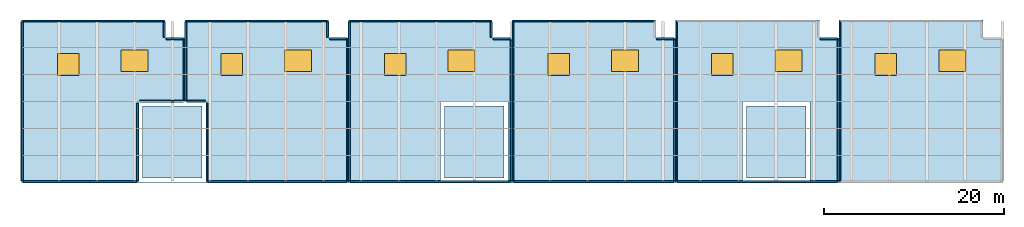
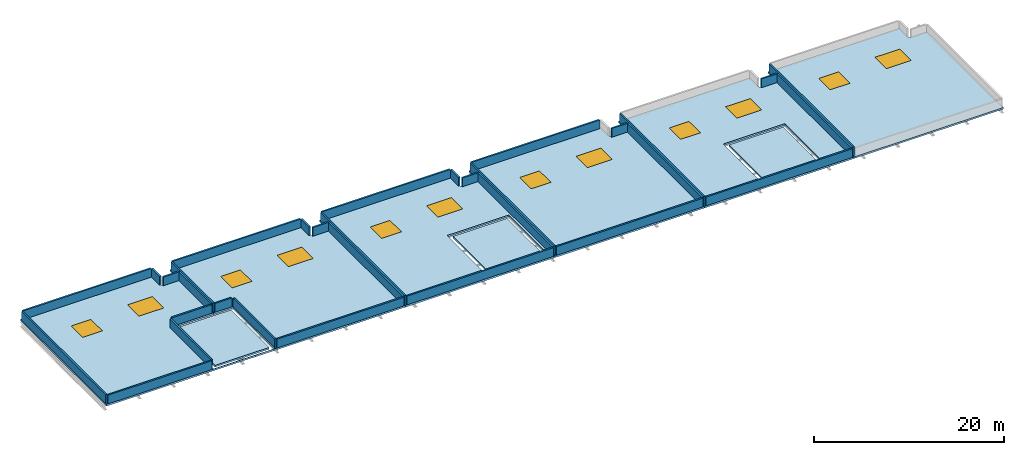
"""IFC4 building model written with IfcOpenShell, lengths in metres."""

from ifc_helpers import new_model, si_unit, direction, frame, frame_2d, origin, origin_2d, place, context, subcontext, project, spatial, polyline, rectangle, outline, extrude, material, layer, layer_set, type_object, element, fill, save


model = new_model("IFC4")

# Units and contexts
model_context = context("Model", 3, precision=1e-05, world=origin(), true_north=direction((0.0, 1.0)))
body_context = subcontext(model_context, "Body", "Model", "MODEL_VIEW")
ifc_project = project(units=[si_unit("LENGTHUNIT", "METRE"), si_unit("AREAUNIT", "SQUARE_METRE"), si_unit("VOLUMEUNIT", "CUBIC_METRE"), si_unit("PLANEANGLEUNIT", "RADIAN"), si_unit("MASSUNIT", "GRAM", prefix="KILO")], contexts=[model_context])

# Site, building, storey
site_placement = place(None, origin())
site = spatial("IfcSite", under=ifc_project, at=site_placement, CompositionType="ELEMENT")
building_placement = place(site_placement, origin())
building = spatial("IfcBuilding", under=site, at=building_placement, Name="Khurvash Pelagic Aquarium", CompositionType="ELEMENT")
storey_1_placement = place(building_placement, frame((0.0, 0.0, 30.0)))
storey_1 = spatial("IfcBuildingStorey", under=building, at=storey_1_placement, Name="RF", CompositionType="ELEMENT", Elevation=30.0)

# Slab, openings
ifc_material_1 = material(Name="Concrete C35/45", Category="concrete")
ifc_layer_1 = layer(ifc_material_1, 0.219970703125)
ifc_layer_set_1 = layer_set([ifc_layer_1], Name="Concrete C35/45")
slab_type = type_object("IfcSlabType", Name="RS-220", PredefinedType="ROOF", material=ifc_layer_set_1)
slab_1_placement = place(storey_1_placement, frame((0.0, 0.0, -0.219970703125)))
slab_1 = element("IfcSlab", 1, at=slab_1_placement, inside=storey_1, type_object=slab_type, Name="RF Insulated Concrete Roof Slab RS-220 ROOF_RF_BAR.1", PredefinedType="ROOF", context=body_context, shape_type="SweptSolid", body=[
    extrude(outline(polyline([(30.800048828125, 11.64990234375), (30.800048828125, 11.699951171875), (25.64990234375, 11.699951171875), (25.64990234375, 20.60009765625), (30.800048828125, 20.60009765625), (30.800048828125, 27.75), (28.60009765625, 27.75), (28.60009765625, 29.75), (12.60009765625, 29.75), (12.60009765625, 11.64990234375), (30.800048828125, 11.64990234375)])), origin(), (0.0, 0.0, 1.0), 0.219970703125),
])
opening_1_placement = place(slab_1_placement, frame((17.800048828125, 24.800048828125, -0.010009765625), z_axis=(0.0, 0.0, 1.0), x_axis=(1.0, 0.0, 0.0)))
opening_1 = element("IfcOpeningElement", 2, at=opening_1_placement, cuts=slab_1, Name="Opening SK-01", PredefinedType="OPENING", context=body_context, shape_type="SweptSolid", body=[
    extrude(rectangle(XDim=2.39990234375, YDim=2.39990234375, at=origin_2d()), origin(), (0.0, 0.0, 1.0), 0.239990234375),
])
opening_2_placement = place(slab_1_placement, frame((25.199951171875, 25.199951171875, -0.010009765625), z_axis=(0.0, 0.0, 1.0), x_axis=(1.0, 0.0, 0.0)))
opening_2 = element("IfcOpeningElement", 3, at=opening_2_placement, cuts=slab_1, Name="Opening SK-02", PredefinedType="OPENING", context=body_context, shape_type="SweptSolid", body=[
    extrude(rectangle(XDim=3.0, YDim=2.39990234375, at=origin_2d()), origin(), (0.0, 0.0, 1.0), 0.239990234375),
])

# Storey
storey_2_placement = place(building_placement, frame((0.0, 0.0, 24.60009765625)))
storey_2 = spatial("IfcBuildingStorey", under=building, at=storey_2_placement, Name="L05", CompositionType="ELEMENT", Elevation=24.60009765625)

# Window
ifc_material_2 = material(Name="Thermally broken aluminium and laminated skylight glass", Category="aluminium")
window_type_1 = type_object("IfcWindowType", Name="SK-01", PartitioningType="SINGLE_PANEL", PredefinedType="SKYLIGHT", material=ifc_material_2)
window_1_placement = place(opening_1_placement, frame((0.0, 0.0, 0.050048828125)))
window_1 = element("IfcWindow", 4, at=window_1_placement, inside=storey_2, type_object=window_type_1, Name="L05 Sky-Gallery Roof Skylight SK-01 001", OverallHeight=2.39990234375, OverallWidth=2.39990234375, PartitioningType="SINGLE_PANEL", PredefinedType="SKYLIGHT", context=body_context, shape_type="SweptSolid", body=[
    extrude(rectangle(XDim=2.39990234375, YDim=2.39990234375, at=origin_2d()), origin(), (0.0, 0.0, 1.0), 0.179931640625),
])

fill(opening_1, window_1)

window_type_2 = type_object("IfcWindowType", Name="SK-02", PartitioningType="SINGLE_PANEL", PredefinedType="SKYLIGHT", material=ifc_material_2)
window_2_placement = place(opening_2_placement, frame((0.0, 0.0, 0.050048828125)))
window_2 = element("IfcWindow", 5, at=window_2_placement, inside=storey_2, type_object=window_type_2, Name="L05 Sky-Gallery Roof Skylight SK-02 002", OverallHeight=2.39990234375, OverallWidth=3.0, PartitioningType="SINGLE_PANEL", PredefinedType="SKYLIGHT", context=body_context, shape_type="SweptSolid", body=[
    extrude(rectangle(XDim=3.0, YDim=2.39990234375, at=origin_2d()), origin(), (0.0, 0.0, 1.0), 0.179931640625),
])

fill(opening_2, window_2)

# Slab, openings, windows
slab_2_placement = place(storey_1_placement, frame((0.0, 0.0, -0.219970703125)))
slab_2 = element("IfcSlab", 6, at=slab_2_placement, inside=storey_1, type_object=slab_type, Name="RF Insulated Concrete Roof Slab RS-220 ROOF_RF_BAR.2", PredefinedType="ROOF", context=body_context, shape_type="SweptSolid", body=[
    extrude(outline(polyline([(46.800048828125, 29.75), (30.800048828125, 29.75), (30.800048828125, 27.75), (30.800048828125, 20.60009765625), (33.14990234375, 20.60009765625), (33.14990234375, 11.699951171875), (30.800048828125, 11.699951171875), (30.800048828125, 11.64990234375), (49.0, 11.64990234375), (49.0, 27.75), (46.800048828125, 27.75), (46.800048828125, 29.75)])), origin(), (0.0, 0.0, 1.0), 0.219970703125),
])
opening_3_placement = place(slab_2_placement, frame((36.0, 24.800048828125, -0.010009765625), z_axis=(0.0, 0.0, 1.0), x_axis=(1.0, 0.0, 0.0)))
opening_3 = element("IfcOpeningElement", 7, at=opening_3_placement, cuts=slab_2, Name="Opening SK-01", PredefinedType="OPENING", context=body_context, shape_type="SweptSolid", body=[
    extrude(rectangle(XDim=2.39990234375, YDim=2.39990234375, at=origin_2d()), origin(), (0.0, 0.0, 1.0), 0.239990234375),
])
opening_4_placement = place(slab_2_placement, frame((43.39990234375, 25.199951171875, -0.010009765625), z_axis=(0.0, 0.0, 1.0), x_axis=(1.0, 0.0, 0.0)))
opening_4 = element("IfcOpeningElement", 8, at=opening_4_placement, cuts=slab_2, Name="Opening SK-02", PredefinedType="OPENING", context=body_context, shape_type="SweptSolid", body=[
    extrude(rectangle(XDim=3.0, YDim=2.39990234375, at=origin_2d()), origin(), (0.0, 0.0, 1.0), 0.239990234375),
])
window_3_placement = place(opening_3_placement, frame((0.0, 0.0, 0.050048828125)))
window_3 = element("IfcWindow", 9, at=window_3_placement, inside=storey_2, type_object=window_type_1, Name="L05 Sky-Gallery Roof Skylight SK-01 003", OverallHeight=2.39990234375, OverallWidth=2.39990234375, PartitioningType="SINGLE_PANEL", PredefinedType="SKYLIGHT", context=body_context, shape_type="SweptSolid", body=[
    extrude(rectangle(XDim=2.39990234375, YDim=2.39990234375, at=origin_2d()), origin(), (0.0, 0.0, 1.0), 0.179931640625),
])
fill(opening_3, window_3)
window_4_placement = place(opening_4_placement, frame((0.0, 0.0, 0.050048828125)))
window_4 = element("IfcWindow", 10, at=window_4_placement, inside=storey_2, type_object=window_type_2, Name="L05 Sky-Gallery Roof Skylight SK-02 004", OverallHeight=2.39990234375, OverallWidth=3.0, PartitioningType="SINGLE_PANEL", PredefinedType="SKYLIGHT", context=body_context, shape_type="SweptSolid", body=[
    extrude(rectangle(XDim=3.0, YDim=2.39990234375, at=origin_2d()), origin(), (0.0, 0.0, 1.0), 0.179931640625),
])
fill(opening_4, window_4)

slab_3_placement = place(storey_1_placement, frame((0.0, 0.0, -0.219970703125)))
slab_3 = element("IfcSlab", 11, at=slab_3_placement, inside=storey_1, type_object=slab_type, Name="RF Insulated Concrete Roof Slab RS-220 ROOF_RF_BAR.3", PredefinedType="ROOF", context=body_context, shape_type="SweptSolid", body=[
    extrude(outline(polyline([(49.0, 29.75), (49.0, 27.75), (49.0, 11.64990234375), (67.199951171875, 11.64990234375), (67.199951171875, 27.75), (65.0, 27.75), (65.0, 29.75), (49.0, 29.75)]), holes=[polyline([(59.25, 20.60009765625), (66.75, 20.60009765625), (66.75, 11.699951171875), (59.25, 11.699951171875), (59.25, 20.60009765625)])]), origin(), (0.0, 0.0, 1.0), 0.219970703125),
])
opening_5_placement = place(slab_3_placement, frame((54.199951171875, 24.800048828125, -0.010009765625), z_axis=(0.0, 0.0, 1.0), x_axis=(1.0, 0.0, 0.0)))
opening_5 = element("IfcOpeningElement", 12, at=opening_5_placement, cuts=slab_3, Name="Opening SK-01", PredefinedType="OPENING", context=body_context, shape_type="SweptSolid", body=[
    extrude(rectangle(XDim=2.39990234375, YDim=2.39990234375, at=origin_2d()), origin(), (0.0, 0.0, 1.0), 0.239990234375),
])
opening_6_placement = place(slab_3_placement, frame((61.60009765625, 25.199951171875, -0.010009765625), z_axis=(0.0, 0.0, 1.0), x_axis=(1.0, 0.0, 0.0)))
opening_6 = element("IfcOpeningElement", 13, at=opening_6_placement, cuts=slab_3, Name="Opening SK-02", PredefinedType="OPENING", context=body_context, shape_type="SweptSolid", body=[
    extrude(rectangle(XDim=3.0, YDim=2.39990234375, at=origin_2d()), origin(), (0.0, 0.0, 1.0), 0.239990234375),
])
window_5_placement = place(opening_5_placement, frame((0.0, 0.0, 0.050048828125)))
window_5 = element("IfcWindow", 14, at=window_5_placement, inside=storey_2, type_object=window_type_1, Name="L05 Sky-Gallery Roof Skylight SK-01 005", OverallHeight=2.39990234375, OverallWidth=2.39990234375, PartitioningType="SINGLE_PANEL", PredefinedType="SKYLIGHT", context=body_context, shape_type="SweptSolid", body=[
    extrude(rectangle(XDim=2.39990234375, YDim=2.39990234375, at=origin_2d()), origin(), (0.0, 0.0, 1.0), 0.179931640625),
])
fill(opening_5, window_5)
window_6_placement = place(opening_6_placement, frame((0.0, 0.0, 0.050048828125)))
window_6 = element("IfcWindow", 15, at=window_6_placement, inside=storey_2, type_object=window_type_2, Name="L05 Sky-Gallery Roof Skylight SK-02 006", OverallHeight=2.39990234375, OverallWidth=3.0, PartitioningType="SINGLE_PANEL", PredefinedType="SKYLIGHT", context=body_context, shape_type="SweptSolid", body=[
    extrude(rectangle(XDim=3.0, YDim=2.39990234375, at=origin_2d()), origin(), (0.0, 0.0, 1.0), 0.179931640625),
])
fill(opening_6, window_6)

slab_4_placement = place(storey_1_placement, frame((0.0, 0.0, -0.219970703125)))
slab_4 = element("IfcSlab", 16, at=slab_4_placement, inside=storey_1, type_object=slab_type, Name="RF Insulated Concrete Roof Slab RS-220 ROOF_RF_BAR.4", PredefinedType="ROOF", context=body_context, shape_type="SweptSolid", body=[
    extrude(outline(polyline([(85.39990234375, 11.64990234375), (85.39990234375, 27.75), (83.199951171875, 27.75), (83.199951171875, 29.75), (67.199951171875, 29.75), (67.199951171875, 27.75), (67.199951171875, 11.64990234375), (85.39990234375, 11.64990234375)])), origin(), (0.0, 0.0, 1.0), 0.219970703125),
])
opening_7_placement = place(slab_4_placement, frame((72.39990234375, 24.800048828125, -0.010009765625), z_axis=(0.0, 0.0, 1.0), x_axis=(1.0, 0.0, 0.0)))
opening_7 = element("IfcOpeningElement", 17, at=opening_7_placement, cuts=slab_4, Name="Opening SK-01", PredefinedType="OPENING", context=body_context, shape_type="SweptSolid", body=[
    extrude(rectangle(XDim=2.39990234375, YDim=2.39990234375, at=origin_2d()), origin(), (0.0, 0.0, 1.0), 0.239990234375),
])
opening_8_placement = place(slab_4_placement, frame((79.800048828125, 25.199951171875, -0.010009765625), z_axis=(0.0, 0.0, 1.0), x_axis=(1.0, 0.0, 0.0)))
opening_8 = element("IfcOpeningElement", 18, at=opening_8_placement, cuts=slab_4, Name="Opening SK-02", PredefinedType="OPENING", context=body_context, shape_type="SweptSolid", body=[
    extrude(rectangle(XDim=3.0, YDim=2.39990234375, at=origin_2d()), origin(), (0.0, 0.0, 1.0), 0.239990234375),
])
window_7_placement = place(opening_7_placement, frame((0.0, 0.0, 0.050048828125)))
window_7 = element("IfcWindow", 19, at=window_7_placement, inside=storey_2, type_object=window_type_1, Name="L05 Sky-Gallery Roof Skylight SK-01 007", OverallHeight=2.39990234375, OverallWidth=2.39990234375, PartitioningType="SINGLE_PANEL", PredefinedType="SKYLIGHT", context=body_context, shape_type="SweptSolid", body=[
    extrude(rectangle(XDim=2.39990234375, YDim=2.39990234375, at=origin_2d()), origin(), (0.0, 0.0, 1.0), 0.179931640625),
])
fill(opening_7, window_7)
window_8_placement = place(opening_8_placement, frame((0.0, 0.0, 0.050048828125)))
window_8 = element("IfcWindow", 20, at=window_8_placement, inside=storey_2, type_object=window_type_2, Name="L05 Sky-Gallery Roof Skylight SK-02 008", OverallHeight=2.39990234375, OverallWidth=3.0, PartitioningType="SINGLE_PANEL", PredefinedType="SKYLIGHT", context=body_context, shape_type="SweptSolid", body=[
    extrude(rectangle(XDim=3.0, YDim=2.39990234375, at=origin_2d()), origin(), (0.0, 0.0, 1.0), 0.179931640625),
])
fill(opening_8, window_8)

slab_5_placement = place(storey_1_placement, frame((0.0, 0.0, -0.219970703125)))
slab_5 = element("IfcSlab", 21, at=slab_5_placement, inside=storey_1, type_object=slab_type, Name="RF Insulated Concrete Roof Slab RS-220 ROOF_RF_BAR.5", PredefinedType="ROOF", context=body_context, shape_type="SweptSolid", body=[
    extrude(outline(polyline([(85.39990234375, 29.75), (85.39990234375, 27.75), (85.39990234375, 11.64990234375), (103.60009765625, 11.64990234375), (103.60009765625, 27.75), (101.39990234375, 27.75), (101.39990234375, 29.75), (85.39990234375, 29.75)]), holes=[polyline([(92.85009765625, 20.60009765625), (100.35009765625, 20.60009765625), (100.35009765625, 11.699951171875), (92.85009765625, 11.699951171875), (92.85009765625, 20.60009765625)])]), origin(), (0.0, 0.0, 1.0), 0.219970703125),
])
opening_9_placement = place(slab_5_placement, frame((90.60009765625, 24.800048828125, -0.010009765625), z_axis=(0.0, 0.0, 1.0), x_axis=(1.0, 0.0, 0.0)))
opening_9 = element("IfcOpeningElement", 22, at=opening_9_placement, cuts=slab_5, Name="Opening SK-01", PredefinedType="OPENING", context=body_context, shape_type="SweptSolid", body=[
    extrude(rectangle(XDim=2.39990234375, YDim=2.39990234375, at=origin_2d()), origin(), (0.0, 0.0, 1.0), 0.239990234375),
])
opening_10_placement = place(slab_5_placement, frame((98.0, 25.199951171875, -0.010009765625), z_axis=(0.0, 0.0, 1.0), x_axis=(1.0, 0.0, 0.0)))
opening_10 = element("IfcOpeningElement", 23, at=opening_10_placement, cuts=slab_5, Name="Opening SK-02", PredefinedType="OPENING", context=body_context, shape_type="SweptSolid", body=[
    extrude(rectangle(XDim=3.0, YDim=2.39990234375, at=origin_2d()), origin(), (0.0, 0.0, 1.0), 0.239990234375),
])
window_9_placement = place(opening_9_placement, frame((0.0, 0.0, 0.050048828125)))
window_9 = element("IfcWindow", 24, at=window_9_placement, inside=storey_2, type_object=window_type_1, Name="L05 Sky-Gallery Roof Skylight SK-01 009", OverallHeight=2.39990234375, OverallWidth=2.39990234375, PartitioningType="SINGLE_PANEL", PredefinedType="SKYLIGHT", context=body_context, shape_type="SweptSolid", body=[
    extrude(rectangle(XDim=2.39990234375, YDim=2.39990234375, at=origin_2d()), origin(), (0.0, 0.0, 1.0), 0.179931640625),
])
fill(opening_9, window_9)
window_10_placement = place(opening_10_placement, frame((0.0, 0.0, 0.050048828125)))
window_10 = element("IfcWindow", 25, at=window_10_placement, inside=storey_2, type_object=window_type_2, Name="L05 Sky-Gallery Roof Skylight SK-02 010", OverallHeight=2.39990234375, OverallWidth=3.0, PartitioningType="SINGLE_PANEL", PredefinedType="SKYLIGHT", context=body_context, shape_type="SweptSolid", body=[
    extrude(rectangle(XDim=3.0, YDim=2.39990234375, at=origin_2d()), origin(), (0.0, 0.0, 1.0), 0.179931640625),
])
fill(opening_10, window_10)

slab_6_placement = place(storey_1_placement, frame((0.0, 0.0, -0.219970703125)))
slab_6 = element("IfcSlab", 26, at=slab_6_placement, inside=storey_1, type_object=slab_type, Name="RF Insulated Concrete Roof Slab RS-220 ROOF_RF_BAR.6", PredefinedType="ROOF", context=body_context, shape_type="SweptSolid", body=[
    extrude(outline(polyline([(121.800048828125, 11.64990234375), (121.800048828125, 27.75), (119.60009765625, 27.75), (119.60009765625, 29.75), (103.60009765625, 29.75), (103.60009765625, 27.75), (103.60009765625, 11.64990234375), (121.800048828125, 11.64990234375)])), origin(), (0.0, 0.0, 1.0), 0.219970703125),
])
opening_11_placement = place(slab_6_placement, frame((108.800048828125, 24.800048828125, -0.010009765625), z_axis=(0.0, 0.0, 1.0), x_axis=(1.0, 0.0, 0.0)))
opening_11 = element("IfcOpeningElement", 27, at=opening_11_placement, cuts=slab_6, Name="Opening SK-01", PredefinedType="OPENING", context=body_context, shape_type="SweptSolid", body=[
    extrude(rectangle(XDim=2.39990234375, YDim=2.39990234375, at=origin_2d()), origin(), (0.0, 0.0, 1.0), 0.239990234375),
])
opening_12_placement = place(slab_6_placement, frame((116.199951171875, 25.199951171875, -0.010009765625), z_axis=(0.0, 0.0, 1.0), x_axis=(1.0, 0.0, 0.0)))
opening_12 = element("IfcOpeningElement", 28, at=opening_12_placement, cuts=slab_6, Name="Opening SK-02", PredefinedType="OPENING", context=body_context, shape_type="SweptSolid", body=[
    extrude(rectangle(XDim=3.0, YDim=2.39990234375, at=origin_2d()), origin(), (0.0, 0.0, 1.0), 0.239990234375),
])
window_11_placement = place(opening_11_placement, frame((0.0, 0.0, 0.050048828125)))
window_11 = element("IfcWindow", 29, at=window_11_placement, inside=storey_2, type_object=window_type_1, Name="L05 Sky-Gallery Roof Skylight SK-01 011", OverallHeight=2.39990234375, OverallWidth=2.39990234375, PartitioningType="SINGLE_PANEL", PredefinedType="SKYLIGHT", context=body_context, shape_type="SweptSolid", body=[
    extrude(rectangle(XDim=2.39990234375, YDim=2.39990234375, at=origin_2d()), origin(), (0.0, 0.0, 1.0), 0.179931640625),
])
fill(opening_11, window_11)
window_12_placement = place(opening_12_placement, frame((0.0, 0.0, 0.050048828125)))
window_12 = element("IfcWindow", 30, at=window_12_placement, inside=storey_2, type_object=window_type_2, Name="L05 Sky-Gallery Roof Skylight SK-02 012", OverallHeight=2.39990234375, OverallWidth=3.0, PartitioningType="SINGLE_PANEL", PredefinedType="SKYLIGHT", context=body_context, shape_type="SweptSolid", body=[
    extrude(rectangle(XDim=3.0, YDim=2.39990234375, at=origin_2d()), origin(), (0.0, 0.0, 1.0), 0.179931640625),
])
fill(opening_12, window_12)

# Slabs
slab_7_placement = place(storey_1_placement, frame((0.0, 0.0, -0.219970703125)))
element("IfcSlab", 31, at=slab_7_placement, inside=storey_1, type_object=slab_type, Name="RF Core C1 Shaft Roof Cap Slab RS-220", PredefinedType="ROOF", context=body_context, shape_type="SweptSolid", body=[
    extrude(outline(polyline([(26.10009765625, 12.14990234375), (32.699951171875, 12.14990234375), (32.699951171875, 20.14990234375), (26.10009765625, 20.14990234375), (26.10009765625, 12.14990234375)])), origin(), (0.0, 0.0, 1.0), 0.219970703125),
])
slab_8_placement = place(storey_1_placement, frame((0.0, 0.0, -0.219970703125)))
element("IfcSlab", 32, at=slab_8_placement, inside=storey_1, type_object=slab_type, Name="RF Core C2 Shaft Roof Cap Slab RS-220", PredefinedType="ROOF", context=body_context, shape_type="SweptSolid", body=[
    extrude(outline(polyline([(59.699951171875, 12.14990234375), (66.300048828125, 12.14990234375), (66.300048828125, 20.14990234375), (59.699951171875, 20.14990234375), (59.699951171875, 12.14990234375)])), origin(), (0.0, 0.0, 1.0), 0.219970703125),
])
slab_9_placement = place(storey_1_placement, frame((0.0, 0.0, -0.219970703125)))
element("IfcSlab", 33, at=slab_9_placement, inside=storey_1, type_object=slab_type, Name="RF Core C3 Shaft Roof Cap Slab RS-220", PredefinedType="ROOF", context=body_context, shape_type="SweptSolid", body=[
    extrude(outline(polyline([(93.300048828125, 12.14990234375), (99.89990234375, 12.14990234375), (99.89990234375, 20.14990234375), (93.300048828125, 20.14990234375), (93.300048828125, 12.14990234375)])), origin(), (0.0, 0.0, 1.0), 0.219970703125),
])

# Walls
ifc_material_3 = material(Name="Precast concrete C40/50", Category="concrete")
ifc_layer_2 = layer(ifc_material_3, 0.199951171875)
ifc_layer_set_2 = layer_set([ifc_layer_2], Name="Precast concrete C40/50")
wall_type = type_object("IfcWallType", Name="PP-200", PredefinedType="PARAPET", material=ifc_layer_set_2)
wall_1_placement = place(storey_1_placement, frame((25.449951171875, 11.75, 0.0), z_axis=(0.0, 0.0, 1.0), x_axis=(-1.0, 0.0, 0.0)))
element("IfcWall", 34, at=wall_1_placement, inside=storey_1, type_object=wall_type, Name="RF Roof Perimeter Parapet Wall PP-200", PredefinedType="PARAPET", context=body_context, shape_type="SweptSolid", body=[
    extrude(rectangle(XDim=12.64990234375, YDim=0.199951171875, at=frame_2d((6.324951171875, 0.0))), origin(), (0.0, 0.0, 1.0), 1.1201171875),
])
wall_2_placement = place(storey_1_placement, frame((12.699951171875, 11.85009765625, 0.0), z_axis=(0.0, 0.0, 1.0), x_axis=(0.0, 1.0, 0.0)))
element("IfcWall", 35, at=wall_2_placement, inside=storey_1, type_object=wall_type, Name="RF Roof Perimeter Parapet Wall PP-200", PredefinedType="PARAPET", context=body_context, shape_type="SweptSolid", body=[
    extrude(rectangle(XDim=17.699951171875, YDim=0.199951171875, at=frame_2d((8.85009765625, 0.0))), origin(), (0.0, 0.0, 1.0), 1.1201171875),
])
wall_3_placement = place(storey_1_placement, frame((12.800048828125, 29.64990234375, 0.0), z_axis=(0.0, 0.0, 1.0), x_axis=(1.0, 0.0, 0.0)))
element("IfcWall", 36, at=wall_3_placement, inside=storey_1, type_object=wall_type, Name="RF Roof Perimeter Parapet Wall PP-200", PredefinedType="PARAPET", context=body_context, shape_type="SweptSolid", body=[
    extrude(rectangle(XDim=15.599853515625, YDim=0.199951171875, at=frame_2d((7.7998046875, 0.0))), origin(), (0.0, 0.0, 1.0), 1.1201171875),
])
wall_4_placement = place(storey_1_placement, frame((28.5, 29.550048828125, 0.0), z_axis=(0.0, 0.0, 1.0), x_axis=(0.0, -1.0, 0.0)))
element("IfcWall", 37, at=wall_4_placement, inside=storey_1, type_object=wall_type, Name="RF Roof Perimeter Parapet Wall PP-200", PredefinedType="PARAPET", context=body_context, shape_type="SweptSolid", body=[
    extrude(rectangle(XDim=1.699951171875, YDim=0.199951171875, at=frame_2d((0.85009765625, 0.0))), origin(), (0.0, 0.0, 1.0), 1.1201171875),
])
wall_5_placement = place(storey_1_placement, frame((28.699951171875, 27.64990234375, 0.0), z_axis=(0.0, 0.0, 1.0), x_axis=(1.0, 0.0, 0.0)))
element("IfcWall", 38, at=wall_5_placement, inside=storey_1, type_object=wall_type, Name="RF Roof Perimeter Parapet Wall PP-200", PredefinedType="PARAPET", context=body_context, shape_type="SweptSolid", body=[
    extrude(rectangle(XDim=1.900146484375, YDim=0.199951171875, at=frame_2d((0.9501953125, 0.0))), origin(), (0.0, 0.0, 1.0), 1.1201171875),
])
wall_6_placement = place(storey_1_placement, frame((30.699951171875, 27.550048828125, 0.0), z_axis=(0.0, 0.0, 1.0), x_axis=(0.0, -1.0, 0.0)))
element("IfcWall", 39, at=wall_6_placement, inside=storey_1, type_object=wall_type, Name="RF Roof Perimeter Parapet Wall PP-200", PredefinedType="PARAPET", context=body_context, shape_type="SweptSolid", body=[
    extrude(rectangle(XDim=6.75, YDim=0.199951171875, at=frame_2d((3.375, 0.0))), origin(), (0.0, 0.0, 1.0), 1.1201171875),
])
wall_7_placement = place(storey_1_placement, frame((30.60009765625, 20.699951171875, 0.0), z_axis=(0.0, 0.0, 1.0), x_axis=(-1.0, 0.0, 0.0)))
element("IfcWall", 40, at=wall_7_placement, inside=storey_1, type_object=wall_type, Name="RF Roof Perimeter Parapet Wall PP-200", PredefinedType="PARAPET", context=body_context, shape_type="SweptSolid", body=[
    extrude(rectangle(XDim=4.85009765625, YDim=0.199951171875, at=frame_2d((2.425048828125, 0.0))), origin(), (0.0, 0.0, 1.0), 1.1201171875),
])
for number, where, z_axis, x_axis, name in (
    (41, (25.550048828125, 20.5, 0.0), (0.0, 0.0, 1.0), (0.0, -1.0, 0.0), "RF Roof Perimeter Parapet Wall PP-200"),
    (42, (33.25, 11.85009765625, 0.0), (0.0, 0.0, 1.0), (0.0, 1.0, 0.0), "RF Roof Perimeter Parapet Wall PP-200"),
):
    element("IfcWall", number, at=place(storey_1_placement, frame(where, z_axis=z_axis, x_axis=x_axis)), inside=storey_1, type_object=wall_type, Name=name, PredefinedType="PARAPET", context=body_context, shape_type="SweptSolid", body=[
        extrude(rectangle(XDim=8.64990234375, YDim=0.199951171875, at=frame_2d((4.324951171875, 0.0))), origin(), (0.0, 0.0, 1.0), 1.1201171875),
    ])
wall_8_placement = place(storey_1_placement, frame((33.050048828125, 20.699951171875, 0.0), z_axis=(0.0, 0.0, 1.0), x_axis=(-1.0, 0.0, 0.0)))
element("IfcWall", 43, at=wall_8_placement, inside=storey_1, type_object=wall_type, Name="RF Roof Perimeter Parapet Wall PP-200", PredefinedType="PARAPET", context=body_context, shape_type="SweptSolid", body=[
    extrude(rectangle(XDim=2.050048828125, YDim=0.199951171875, at=frame_2d((1.02490234375, 0.0))), origin(), (0.0, 0.0, 1.0), 1.1201171875),
])
wall_9_placement = place(storey_1_placement, frame((30.89990234375, 20.800048828125, 0.0), z_axis=(0.0, 0.0, 1.0), x_axis=(0.0, 1.0, 0.0)))
element("IfcWall", 44, at=wall_9_placement, inside=storey_1, type_object=wall_type, Name="RF Roof Perimeter Parapet Wall PP-200", PredefinedType="PARAPET", context=body_context, shape_type="SweptSolid", body=[
    extrude(rectangle(XDim=8.75, YDim=0.199951171875, at=frame_2d((4.375, 0.0))), origin(), (0.0, 0.0, 1.0), 1.1201171875),
])
wall_10_placement = place(storey_1_placement, frame((31.0, 29.64990234375, 0.0), z_axis=(0.0, 0.0, 1.0), x_axis=(1.0, 0.0, 0.0)))
element("IfcWall", 45, at=wall_10_placement, inside=storey_1, type_object=wall_type, Name="RF Roof Perimeter Parapet Wall PP-200", PredefinedType="PARAPET", context=body_context, shape_type="SweptSolid", body=[
    extrude(rectangle(XDim=15.60009765625, YDim=0.199951171875, at=frame_2d((7.800048828125, 0.0))), origin(), (0.0, 0.0, 1.0), 1.1201171875),
])
wall_11_placement = place(storey_1_placement, frame((46.699951171875, 29.550048828125, 0.0), z_axis=(0.0, 0.0, 1.0), x_axis=(0.0, -1.0, 0.0)))
element("IfcWall", 46, at=wall_11_placement, inside=storey_1, type_object=wall_type, Name="RF Roof Perimeter Parapet Wall PP-200", PredefinedType="PARAPET", context=body_context, shape_type="SweptSolid", body=[
    extrude(rectangle(XDim=1.699951171875, YDim=0.199951171875, at=frame_2d((0.85009765625, 0.0))), origin(), (0.0, 0.0, 1.0), 1.1201171875),
])
wall_12_placement = place(storey_1_placement, frame((46.89990234375, 27.64990234375, 0.0), z_axis=(0.0, 0.0, 1.0), x_axis=(1.0, 0.0, 0.0)))
element("IfcWall", 47, at=wall_12_placement, inside=storey_1, type_object=wall_type, Name="RF Roof Perimeter Parapet Wall PP-200", PredefinedType="PARAPET", context=body_context, shape_type="SweptSolid", body=[
    extrude(rectangle(XDim=1.900146484375, YDim=0.199951171875, at=frame_2d((0.9501953125, 0.0))), origin(), (0.0, 0.0, 1.0), 1.1201171875),
])
wall_13_placement = place(storey_1_placement, frame((48.89990234375, 27.550048828125, 0.0), z_axis=(0.0, 0.0, 1.0), x_axis=(0.0, -1.0, 0.0)))
element("IfcWall", 48, at=wall_13_placement, inside=storey_1, type_object=wall_type, Name="RF Roof Perimeter Parapet Wall PP-200", PredefinedType="PARAPET", context=body_context, shape_type="SweptSolid", body=[
    extrude(rectangle(XDim=15.699951171875, YDim=0.199951171875, at=frame_2d((7.85009765625, 0.0))), origin(), (0.0, 0.0, 1.0), 1.1201171875),
])
wall_14_placement = place(storey_1_placement, frame((48.800048828125, 11.75, 0.0), z_axis=(0.0, 0.0, 1.0), x_axis=(-1.0, 0.0, 0.0)))
element("IfcWall", 49, at=wall_14_placement, inside=storey_1, type_object=wall_type, Name="RF Roof Perimeter Parapet Wall PP-200", PredefinedType="PARAPET", context=body_context, shape_type="SweptSolid", body=[
    extrude(rectangle(XDim=15.449951171875, YDim=0.199951171875, at=frame_2d((7.72509765625, 0.0))), origin(), (0.0, 0.0, 1.0), 1.1201171875),
])
wall_15_placement = place(storey_1_placement, frame((49.199951171875, 29.64990234375, 0.0), z_axis=(0.0, 0.0, 1.0), x_axis=(1.0, 0.0, 0.0)))
element("IfcWall", 50, at=wall_15_placement, inside=storey_1, type_object=wall_type, Name="RF Roof Perimeter Parapet Wall PP-200", PredefinedType="PARAPET", context=body_context, shape_type="SweptSolid", body=[
    extrude(rectangle(XDim=15.60009765625, YDim=0.199951171875, at=frame_2d((7.800048828125, 0.0))), origin(), (0.0, 0.0, 1.0), 1.1201171875),
])
wall_16_placement = place(storey_1_placement, frame((64.89990234375, 29.550048828125, 0.0), z_axis=(0.0, 0.0, 1.0), x_axis=(0.0, -1.0, 0.0)))
element("IfcWall", 51, at=wall_16_placement, inside=storey_1, type_object=wall_type, Name="RF Roof Perimeter Parapet Wall PP-200", PredefinedType="PARAPET", context=body_context, shape_type="SweptSolid", body=[
    extrude(rectangle(XDim=1.699951171875, YDim=0.199951171875, at=frame_2d((0.85009765625, 0.0))), origin(), (0.0, 0.0, 1.0), 1.1201171875),
])
wall_17_placement = place(storey_1_placement, frame((65.10009765625, 27.64990234375, 0.0), z_axis=(0.0, 0.0, 1.0), x_axis=(1.0, 0.0, 0.0)))
element("IfcWall", 52, at=wall_17_placement, inside=storey_1, type_object=wall_type, Name="RF Roof Perimeter Parapet Wall PP-200", PredefinedType="PARAPET", context=body_context, shape_type="SweptSolid", body=[
    extrude(rectangle(XDim=1.89990234375, YDim=0.199951171875, at=frame_2d((0.949951171875, 0.0))), origin(), (0.0, 0.0, 1.0), 1.1201171875),
])
wall_18_placement = place(storey_1_placement, frame((67.10009765625, 27.550048828125, 0.0), z_axis=(0.0, 0.0, 1.0), x_axis=(0.0, -1.0, 0.0)))
element("IfcWall", 53, at=wall_18_placement, inside=storey_1, type_object=wall_type, Name="RF Roof Perimeter Parapet Wall PP-200", PredefinedType="PARAPET", context=body_context, shape_type="SweptSolid", body=[
    extrude(rectangle(XDim=15.699951171875, YDim=0.199951171875, at=frame_2d((7.85009765625, 0.0))), origin(), (0.0, 0.0, 1.0), 1.1201171875),
])
wall_19_placement = place(storey_1_placement, frame((67.0, 11.75, 0.0), z_axis=(0.0, 0.0, 1.0), x_axis=(-1.0, 0.0, 0.0)))
element("IfcWall", 54, at=wall_19_placement, inside=storey_1, type_object=wall_type, Name="RF Roof Perimeter Parapet Wall PP-200", PredefinedType="PARAPET", context=body_context, shape_type="SweptSolid", body=[
    extrude(rectangle(XDim=17.800048828125, YDim=0.199951171875, at=frame_2d((8.89990234375, 0.0))), origin(), (0.0, 0.0, 1.0), 1.1201171875),
])
wall_20_placement = place(storey_1_placement, frame((49.10009765625, 11.85009765625, 0.0), z_axis=(0.0, 0.0, 1.0), x_axis=(0.0, 1.0, 0.0)))
element("IfcWall", 55, at=wall_20_placement, inside=storey_1, type_object=wall_type, Name="RF Roof Perimeter Parapet Wall PP-200", PredefinedType="PARAPET", context=body_context, shape_type="SweptSolid", body=[
    extrude(rectangle(XDim=17.699951171875, YDim=0.199951171875, at=frame_2d((8.85009765625, 0.0))), origin(), (0.0, 0.0, 1.0), 1.1201171875),
])
wall_21_placement = place(storey_1_placement, frame((85.199951171875, 11.75, 0.0), z_axis=(0.0, 0.0, 1.0), x_axis=(-1.0, 0.0, 0.0)))
element("IfcWall", 56, at=wall_21_placement, inside=storey_1, type_object=wall_type, Name="RF Roof Perimeter Parapet Wall PP-200", PredefinedType="PARAPET", context=body_context, shape_type="SweptSolid", body=[
    extrude(rectangle(XDim=17.800048828125, YDim=0.199951171875, at=frame_2d((8.89990234375, 0.0))), origin(), (0.0, 0.0, 1.0), 1.1201171875),
])
wall_22_placement = place(storey_1_placement, frame((67.300048828125, 11.85009765625, 0.0), z_axis=(0.0, 0.0, 1.0), x_axis=(0.0, 1.0, 0.0)))
element("IfcWall", 57, at=wall_22_placement, inside=storey_1, type_object=wall_type, Name="RF Roof Perimeter Parapet Wall PP-200", PredefinedType="PARAPET", context=body_context, shape_type="SweptSolid", body=[
    extrude(rectangle(XDim=17.699951171875, YDim=0.199951171875, at=frame_2d((8.85009765625, 0.0))), origin(), (0.0, 0.0, 1.0), 1.1201171875),
])
wall_23_placement = place(storey_1_placement, frame((67.39990234375, 29.64990234375, 0.0), z_axis=(0.0, 0.0, 1.0), x_axis=(1.0, 0.0, 0.0)))
element("IfcWall", 58, at=wall_23_placement, inside=storey_1, type_object=wall_type, Name="RF Roof Perimeter Parapet Wall PP-200", PredefinedType="PARAPET", context=body_context, shape_type="SweptSolid", body=[
    extrude(rectangle(XDim=15.60009765625, YDim=0.199951171875, at=frame_2d((7.800048828125, 0.0))), origin(), (0.0, 0.0, 1.0), 1.1201171875),
])
wall_24_placement = place(storey_1_placement, frame((83.300048828125, 27.64990234375, 0.0), z_axis=(0.0, 0.0, 1.0), x_axis=(1.0, 0.0, 0.0)))
element("IfcWall", 59, at=wall_24_placement, inside=storey_1, type_object=wall_type, Name="RF Roof Perimeter Parapet Wall PP-200", PredefinedType="PARAPET", context=body_context, shape_type="SweptSolid", body=[
    extrude(rectangle(XDim=1.89990234375, YDim=0.199951171875, at=frame_2d((0.949951171875, 0.0))), origin(), (0.0, 0.0, 1.0), 1.1201171875),
])
wall_25_placement = place(storey_1_placement, frame((85.300048828125, 27.550048828125, 0.0), z_axis=(0.0, 0.0, 1.0), x_axis=(0.0, -1.0, 0.0)))
element("IfcWall", 60, at=wall_25_placement, inside=storey_1, type_object=wall_type, Name="RF Roof Perimeter Parapet Wall PP-200", PredefinedType="PARAPET", context=body_context, shape_type="SweptSolid", body=[
    extrude(rectangle(XDim=15.699951171875, YDim=0.199951171875, at=frame_2d((7.85009765625, 0.0))), origin(), (0.0, 0.0, 1.0), 1.1201171875),
])
wall_26_placement = place(storey_1_placement, frame((101.5, 27.64990234375, 0.0), z_axis=(0.0, 0.0, 1.0), x_axis=(1.0, 0.0, 0.0)))
element("IfcWall", 61, at=wall_26_placement, inside=storey_1, type_object=wall_type, Name="RF Roof Perimeter Parapet Wall PP-200", PredefinedType="PARAPET", context=body_context, shape_type="SweptSolid", body=[
    extrude(rectangle(XDim=1.89990234375, YDim=0.199951171875, at=frame_2d((0.949951171875, 0.0))), origin(), (0.0, 0.0, 1.0), 1.1201171875),
])
wall_27_placement = place(storey_1_placement, frame((103.5, 27.550048828125, 0.0), z_axis=(0.0, 0.0, 1.0), x_axis=(0.0, -1.0, 0.0)))
element("IfcWall", 62, at=wall_27_placement, inside=storey_1, type_object=wall_type, Name="RF Roof Perimeter Parapet Wall PP-200", PredefinedType="PARAPET", context=body_context, shape_type="SweptSolid", body=[
    extrude(rectangle(XDim=15.699951171875, YDim=0.199951171875, at=frame_2d((7.85009765625, 0.0))), origin(), (0.0, 0.0, 1.0), 1.1201171875),
])
wall_28_placement = place(storey_1_placement, frame((103.39990234375, 11.75, 0.0), z_axis=(0.0, 0.0, 1.0), x_axis=(-1.0, 0.0, 0.0)))
element("IfcWall", 63, at=wall_28_placement, inside=storey_1, type_object=wall_type, Name="RF Roof Perimeter Parapet Wall PP-200", PredefinedType="PARAPET", context=body_context, shape_type="SweptSolid", body=[
    extrude(rectangle(XDim=17.7998046875, YDim=0.199951171875, at=frame_2d((8.89990234375, 0.0))), origin(), (0.0, 0.0, 1.0), 1.1201171875),
])
for number, where, z_axis, x_axis, name in (
    (64, (85.5, 11.85009765625, 0.0), (0.0, 0.0, 1.0), (0.0, 1.0, 0.0), "RF Roof Perimeter Parapet Wall PP-200"),
    (65, (103.699951171875, 11.85009765625, 0.0), (0.0, 0.0, 1.0), (0.0, 1.0, 0.0), "RF Roof Perimeter Parapet Wall PP-200"),
):
    element("IfcWall", number, at=place(storey_1_placement, frame(where, z_axis=z_axis, x_axis=x_axis)), inside=storey_1, type_object=wall_type, Name=name, PredefinedType="PARAPET", context=body_context, shape_type="SweptSolid", body=[
        extrude(rectangle(XDim=17.699951171875, YDim=0.199951171875, at=frame_2d((8.85009765625, 0.0))), origin(), (0.0, 0.0, 1.0), 1.1201171875),
    ])

save(model, "model.ifc")
